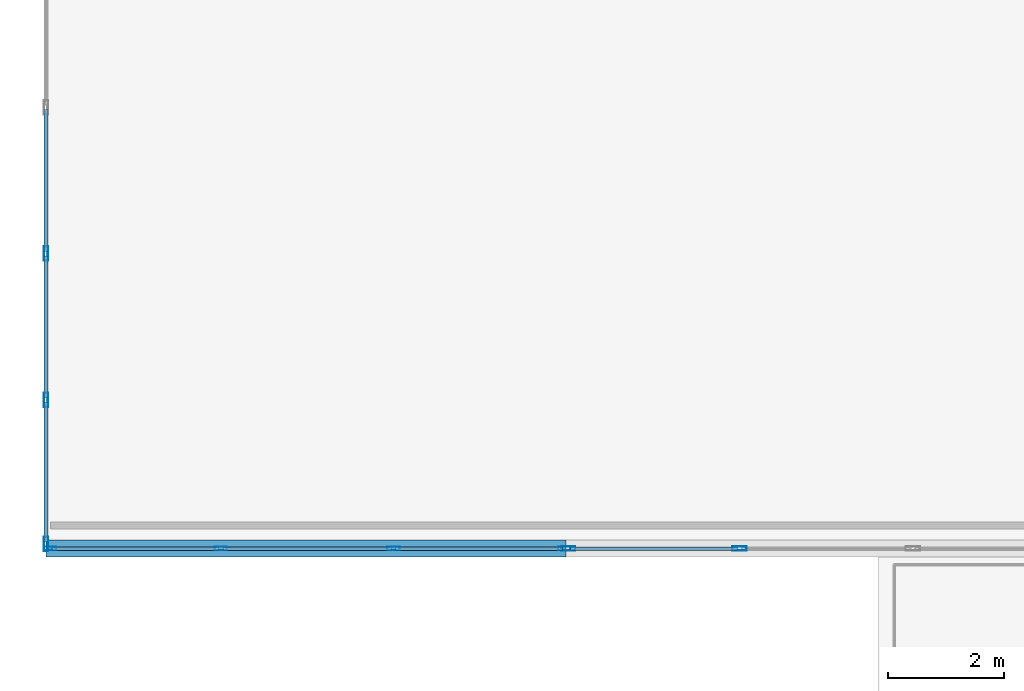
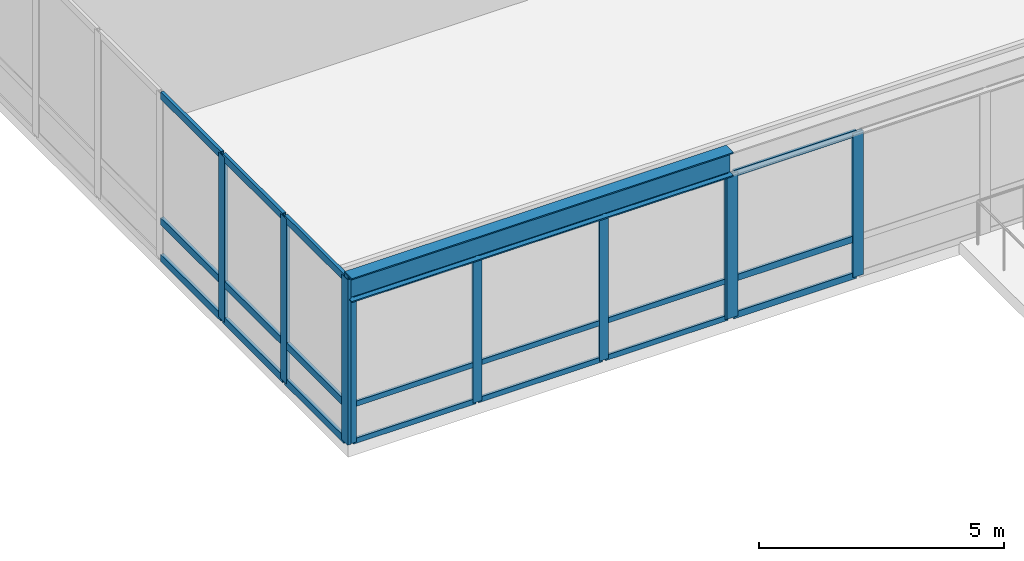
# One storey, part 11 of 142: 30 members, 1 beam, 3 elements without a shape of their own.
"""IFC4 building model written with IfcOpenShell, lengths in metres."""

from ifc_helpers import new_model, si_unit, direction, frame, origin, origin_2d, place, context, subcontext, project, spatial, hollow_rectangle, i_section, extrude, material, layer, layer_set, material_profile, profile_set, type_object, element, aggregate, save


model = new_model("IFC4")

# Units and contexts
model_context = context("Model", 3, precision=1e-05, world=origin(), true_north=direction((0.0, 1.0)))
body_context = subcontext(model_context, "Body", "Model", "MODEL_VIEW")
ifc_project = project(units=[si_unit("LENGTHUNIT", "METRE"), si_unit("AREAUNIT", "SQUARE_METRE"), si_unit("VOLUMEUNIT", "CUBIC_METRE"), si_unit("PLANEANGLEUNIT", "RADIAN"), si_unit("MASSUNIT", "GRAM", prefix="KILO")], contexts=[model_context])

# Site, building, storey
site_placement = place(None, origin())
site = spatial("IfcSite", under=ifc_project, at=site_placement, CompositionType="ELEMENT")
building_placement = place(site_placement, origin())
building = spatial("IfcBuilding", under=site, at=building_placement, Name="Montelvaro Courts of Justice", CompositionType="ELEMENT")
storey_placement = place(building_placement, frame((0.0, 0.0, 14.39990234375)))
storey = spatial("IfcBuildingStorey", under=building, at=storey_placement, Name="L03", CompositionType="ELEMENT", Elevation=14.39990234375)

# Beam
ifc_material_1 = material(Name="Steel S355", Category="steel")
ifc_material_profile_1 = material_profile(ifc_material_1, i_section(OverallWidth=0.300048828125, OverallDepth=0.60009765625, WebThickness=0.015380859375, FlangeThickness=0.030029296875, at=origin_2d()), Name="HEB 600")
ifc_profile_set_1 = profile_set([ifc_material_profile_1], Name="Steel S355")
beam_type = type_object("IfcBeamType", Name="Beam_HEB600", PredefinedType="USERDEFINED", material=ifc_profile_set_1)
beam_placement = place(storey_placement, frame((18.0, 24.0, 3.900146484375), z_axis=(1.0, 0.0, 0.0), x_axis=(0.0, 1.0, 0.0)))
element("IfcBeam", 1, at=beam_placement, inside=storey, type_object=beam_type, Name="V3 Roof Eave Girder", ObjectType="GIRDER", PredefinedType="USERDEFINED", context=body_context, shape_type="SweptSolid", body=[
    extrude(i_section(OverallWidth=0.300048828125, OverallDepth=0.60009765625, WebThickness=0.015380859375, FlangeThickness=0.030029296875, at=origin_2d()), origin(), (0.0, 0.0, 1.0), 9.0),
])

# Curtain wall, members
ifc_material_2 = material(Name="Anodised aluminium EN AW-6063", Category="aluminium")
ifc_layer_1 = layer(ifc_material_2, 0.159912109375)
ifc_layer_set_1 = layer_set([ifc_layer_1], Name="Anodised aluminium EN AW-6063")
curtain_wall_type_1 = type_object("IfcCurtainWallType", Name="CurtainWall_28_896x418", PredefinedType="USERDEFINED", material=ifc_layer_set_1)
curtain_wall_1_placement = place(storey_placement, origin())
curtain_wall_1 = element("IfcCurtainWall", 2, at=curtain_wall_1_placement, inside=storey, type_object=curtain_wall_type_1, Name="Curtain Wall CW-28 (L03)", ObjectType="CURTAIN WALL", PredefinedType="USERDEFINED")
ifc_material_profile_2 = material_profile(ifc_material_2, hollow_rectangle(XDim=0.06494140625, YDim=0.2099609375, WallThickness=0.0048828125, at=origin_2d()), Name="ALU-M 65x210")
ifc_profile_set_2 = profile_set([ifc_material_profile_2], Name="Anodised aluminium EN AW-6063")
member_type_1 = type_object("IfcMemberType", Name="CurtainWall_Mullion_65x210", PredefinedType="MULLION", material=ifc_profile_set_2)
member_1_placement = place(storey_placement, frame((18.072509765625, 24.0, 0.0), z_axis=(0.0, 0.0, 1.0), x_axis=(0.0, 1.0, 0.0)))
member_1 = element("IfcMember", 3, at=member_1_placement, type_object=member_type_1, Name="CW-28 mullion 1", PredefinedType="MULLION", context=body_context, shape_type="SweptSolid", body=[
    extrude(hollow_rectangle(XDim=0.06494140625, YDim=0.2099609375, WallThickness=0.0048828125, at=origin_2d()), origin(), (0.0, 0.0, 1.0), 3.59521484375),
])
member_2_placement = place(storey_placement, frame((21.026611328125, 24.0, 0.0), z_axis=(0.0, 0.0, 1.0), x_axis=(0.0, 1.0, 0.0)))
member_2 = element("IfcMember", 4, at=member_2_placement, type_object=member_type_1, Name="CW-28 mullion 2", PredefinedType="MULLION", context=body_context, shape_type="SweptSolid", body=[
    extrude(hollow_rectangle(XDim=0.06494140625, YDim=0.2099609375, WallThickness=0.0048828125, at=origin_2d()), origin(), (0.0, 0.0, 1.0), 3.59521484375),
])
member_3_placement = place(storey_placement, frame((24.013427734375, 24.0, 0.0), z_axis=(0.0, 0.0, 1.0), x_axis=(0.0, 1.0, 0.0)))
member_3 = element("IfcMember", 5, at=member_3_placement, type_object=member_type_1, Name="CW-28 mullion 3", PredefinedType="MULLION", context=body_context, shape_type="SweptSolid", body=[
    extrude(hollow_rectangle(XDim=0.06494140625, YDim=0.2099609375, WallThickness=0.0048828125, at=origin_2d()), origin(), (0.0, 0.0, 1.0), 3.59521484375),
])
member_4_placement = place(storey_placement, frame((26.967529296875, 24.0, 0.0), z_axis=(0.0, 0.0, 1.0), x_axis=(0.0, 1.0, 0.0)))
member_4 = element("IfcMember", 6, at=member_4_placement, type_object=member_type_1, Name="CW-28 mullion 4", PredefinedType="MULLION", context=body_context, shape_type="SweptSolid", body=[
    extrude(hollow_rectangle(XDim=0.06494140625, YDim=0.2099609375, WallThickness=0.0048828125, at=origin_2d()), origin(), (0.0, 0.0, 1.0), 3.59521484375),
])

ifc_layer_2 = layer(ifc_material_2, 0.159912109375)
ifc_layer_set_2 = layer_set([ifc_layer_2], Name="Anodised aluminium EN AW-6063")
curtain_wall_type_2 = type_object("IfcCurtainWallType", Name="CurtainWall_31_900x418", PredefinedType="USERDEFINED", material=ifc_layer_set_2)
curtain_wall_2_placement = place(storey_placement, origin())
curtain_wall_2 = element("IfcCurtainWall", 7, at=curtain_wall_2_placement, inside=storey, type_object=curtain_wall_type_2, Name="Curtain Wall CW-31 (L03)", ObjectType="CURTAIN WALL", PredefinedType="USERDEFINED")
ifc_material_profile_3 = material_profile(ifc_material_2, hollow_rectangle(XDim=0.074951171875, YDim=0.25, WallThickness=0.005615234375, at=origin_2d()), Name="ALU-M 75x250")
ifc_profile_set_3 = profile_set([ifc_material_profile_3], Name="Anodised aluminium EN AW-6063")
member_type_2 = type_object("IfcMemberType", Name="CurtainWall_Mullion_75x250", PredefinedType="MULLION", material=ifc_profile_set_3)
member_5_placement = place(storey_placement, frame((27.03759765625, 24.0, 0.0), z_axis=(0.0, 0.0, 1.0), x_axis=(0.0, 1.0, 0.0)))
member_5 = element("IfcMember", 8, at=member_5_placement, type_object=member_type_2, Name="CW-31 mullion 1", PredefinedType="MULLION", context=body_context, shape_type="SweptSolid", body=[
    extrude(hollow_rectangle(XDim=0.074951171875, YDim=0.25, WallThickness=0.005615234375, at=origin_2d()), origin(), (0.0, 0.0, 1.0), 3.59521484375),
])
member_6_placement = place(storey_placement, frame((30.0, 24.0, 0.0), z_axis=(0.0, 0.0, 1.0), x_axis=(0.0, 1.0, 0.0)))
member_6 = element("IfcMember", 9, at=member_6_placement, type_object=member_type_2, Name="CW-31 mullion 2", PredefinedType="MULLION", context=body_context, shape_type="SweptSolid", body=[
    extrude(hollow_rectangle(XDim=0.074951171875, YDim=0.25, WallThickness=0.005615234375, at=origin_2d()), origin(), (0.0, 0.0, 1.0), 3.59521484375),
])

ifc_layer_3 = layer(ifc_material_2, 0.159912109375)
ifc_layer_set_3 = layer_set([ifc_layer_3], Name="Anodised aluminium EN AW-6063")
curtain_wall_type_3 = type_object("IfcCurtainWallType", Name="CurtainWall_29_1770x418", PredefinedType="USERDEFINED", material=ifc_layer_set_3)
curtain_wall_3_placement = place(storey_placement, origin())
curtain_wall_3 = element("IfcCurtainWall", 10, at=curtain_wall_3_placement, inside=storey, type_object=curtain_wall_type_3, Name="Curtain Wall CW-29 (L03)", ObjectType="CURTAIN WALL", PredefinedType="USERDEFINED")
member_7_placement = place(storey_placement, frame((18.0, 29.102783203125, 0.0), z_axis=(0.0, 0.0, 1.0), x_axis=(1.0, 0.0, 0.0)))
member_7 = element("IfcMember", 11, at=member_7_placement, type_object=member_type_2, Name="CW-29 mullion 6", PredefinedType="MULLION", context=body_context, shape_type="SweptSolid", body=[
    extrude(hollow_rectangle(XDim=0.074951171875, YDim=0.25, WallThickness=0.005615234375, at=origin_2d()), origin(), (0.0, 0.0, 1.0), 4.1201171875),
])
member_8_placement = place(storey_placement, frame((18.0, 26.571533203125, 0.0), z_axis=(0.0, 0.0, 1.0), x_axis=(1.0, 0.0, 0.0)))
member_8 = element("IfcMember", 12, at=member_8_placement, type_object=member_type_2, Name="CW-29 mullion 7", PredefinedType="MULLION", context=body_context, shape_type="SweptSolid", body=[
    extrude(hollow_rectangle(XDim=0.074951171875, YDim=0.25, WallThickness=0.005615234375, at=origin_2d()), origin(), (0.0, 0.0, 1.0), 4.1201171875),
])
member_9_placement = place(storey_placement, frame((18.0, 24.077392578125, 0.0), z_axis=(0.0, 0.0, 1.0), x_axis=(1.0, 0.0, 0.0)))
member_9 = element("IfcMember", 13, at=member_9_placement, type_object=member_type_2, Name="CW-29 mullion 8", PredefinedType="MULLION", context=body_context, shape_type="SweptSolid", body=[
    extrude(hollow_rectangle(XDim=0.074951171875, YDim=0.25, WallThickness=0.005615234375, at=origin_2d()), origin(), (0.0, 0.0, 1.0), 4.1201171875),
])

# Member
ifc_material_profile_4 = material_profile(ifc_material_2, hollow_rectangle(XDim=0.06005859375, YDim=0.1298828125, WallThickness=0.00390625, at=origin_2d()), Name="ALU-T 60x130")
ifc_profile_set_4 = profile_set([ifc_material_profile_4], Name="Anodised aluminium EN AW-6063")
member_type_3 = type_object("IfcMemberType", Name="CurtainWall_Transom_60x130", PredefinedType="USERDEFINED", material=ifc_profile_set_4)
member_10_placement = place(storey_placement, frame((18.10498046875, 24.0, 0.030029296875), z_axis=(1.0, 0.0, 0.0), x_axis=(0.0, 1.0, 0.0)))
member_10 = element("IfcMember", 14, at=member_10_placement, type_object=member_type_3, Name="CW-28 transom 1.1", ObjectType="TRANSOM", PredefinedType="USERDEFINED", context=body_context, shape_type="SweptSolid", body=[
    extrude(hollow_rectangle(XDim=0.06005859375, YDim=0.1298828125, WallThickness=0.00390625, at=origin_2d()), origin(), (0.0, 0.0, 1.0), 2.88916015625),
])

member_11_placement = place(storey_placement, frame((18.10498046875, 24.0, 0.9501953125), z_axis=(1.0, 0.0, 0.0), x_axis=(0.0, 1.0, 0.0)))
member_11 = element("IfcMember", 15, at=member_11_placement, type_object=member_type_3, Name="CW-28 transom 1.2", ObjectType="TRANSOM", PredefinedType="USERDEFINED", context=body_context, shape_type="SweptSolid", body=[
    extrude(hollow_rectangle(XDim=0.06005859375, YDim=0.1298828125, WallThickness=0.00390625, at=origin_2d()), origin(), (0.0, 0.0, 1.0), 2.88916015625),
])

member_12_placement = place(storey_placement, frame((18.10498046875, 24.0, 3.565185546875), z_axis=(1.0, 0.0, 0.0), x_axis=(0.0, 1.0, 0.0)))
member_12 = element("IfcMember", 16, at=member_12_placement, type_object=member_type_3, Name="CW-28 transom 1.3", ObjectType="TRANSOM", PredefinedType="USERDEFINED", context=body_context, shape_type="SweptSolid", body=[
    extrude(hollow_rectangle(XDim=0.06005859375, YDim=0.1298828125, WallThickness=0.00390625, at=origin_2d()), origin(), (0.0, 0.0, 1.0), 2.88916015625),
])

member_13_placement = place(storey_placement, frame((21.05908203125, 24.0, 0.030029296875), z_axis=(1.0, 0.0, 0.0), x_axis=(0.0, 1.0, 0.0)))
member_13 = element("IfcMember", 17, at=member_13_placement, type_object=member_type_3, Name="CW-28 transom 2.1", ObjectType="TRANSOM", PredefinedType="USERDEFINED", context=body_context, shape_type="SweptSolid", body=[
    extrude(hollow_rectangle(XDim=0.06005859375, YDim=0.1298828125, WallThickness=0.00390625, at=origin_2d()), origin(), (0.0, 0.0, 1.0), 2.921630859375),
])

member_14_placement = place(storey_placement, frame((21.05908203125, 24.0, 0.9501953125), z_axis=(1.0, 0.0, 0.0), x_axis=(0.0, 1.0, 0.0)))
member_14 = element("IfcMember", 18, at=member_14_placement, type_object=member_type_3, Name="CW-28 transom 2.2", ObjectType="TRANSOM", PredefinedType="USERDEFINED", context=body_context, shape_type="SweptSolid", body=[
    extrude(hollow_rectangle(XDim=0.06005859375, YDim=0.1298828125, WallThickness=0.00390625, at=origin_2d()), origin(), (0.0, 0.0, 1.0), 2.921630859375),
])

member_15_placement = place(storey_placement, frame((21.05908203125, 24.0, 3.565185546875), z_axis=(1.0, 0.0, 0.0), x_axis=(0.0, 1.0, 0.0)))
member_15 = element("IfcMember", 19, at=member_15_placement, type_object=member_type_3, Name="CW-28 transom 2.3", ObjectType="TRANSOM", PredefinedType="USERDEFINED", context=body_context, shape_type="SweptSolid", body=[
    extrude(hollow_rectangle(XDim=0.06005859375, YDim=0.1298828125, WallThickness=0.00390625, at=origin_2d()), origin(), (0.0, 0.0, 1.0), 2.921630859375),
])

member_16_placement = place(storey_placement, frame((24.0458984375, 24.0, 0.030029296875), z_axis=(1.0, 0.0, 0.0), x_axis=(0.0, 1.0, 0.0)))
member_16 = element("IfcMember", 20, at=member_16_placement, type_object=member_type_3, Name="CW-28 transom 3.1", ObjectType="TRANSOM", PredefinedType="USERDEFINED", context=body_context, shape_type="SweptSolid", body=[
    extrude(hollow_rectangle(XDim=0.06005859375, YDim=0.1298828125, WallThickness=0.00390625, at=origin_2d()), origin(), (0.0, 0.0, 1.0), 2.88916015625),
])

member_17_placement = place(storey_placement, frame((24.0458984375, 24.0, 0.9501953125), z_axis=(1.0, 0.0, 0.0), x_axis=(0.0, 1.0, 0.0)))
member_17 = element("IfcMember", 21, at=member_17_placement, type_object=member_type_3, Name="CW-28 transom 3.2", ObjectType="TRANSOM", PredefinedType="USERDEFINED", context=body_context, shape_type="SweptSolid", body=[
    extrude(hollow_rectangle(XDim=0.06005859375, YDim=0.1298828125, WallThickness=0.00390625, at=origin_2d()), origin(), (0.0, 0.0, 1.0), 2.88916015625),
])

member_18_placement = place(storey_placement, frame((24.0458984375, 24.0, 3.565185546875), z_axis=(1.0, 0.0, 0.0), x_axis=(0.0, 1.0, 0.0)))
member_18 = element("IfcMember", 22, at=member_18_placement, type_object=member_type_3, Name="CW-28 transom 3.3", ObjectType="TRANSOM", PredefinedType="USERDEFINED", context=body_context, shape_type="SweptSolid", body=[
    extrude(hollow_rectangle(XDim=0.06005859375, YDim=0.1298828125, WallThickness=0.00390625, at=origin_2d()), origin(), (0.0, 0.0, 1.0), 2.88916015625),
])

aggregate(curtain_wall_1, [member_1, member_2, member_3, member_4, member_10, member_11, member_12, member_13, member_14, member_15, member_16, member_17, member_18])

ifc_material_profile_5 = material_profile(ifc_material_2, hollow_rectangle(XDim=0.06005859375, YDim=0.159912109375, WallThickness=0.00439453125, at=origin_2d()), Name="ALU-T 60x160")
ifc_profile_set_5 = profile_set([ifc_material_profile_5], Name="Anodised aluminium EN AW-6063")
member_type_4 = type_object("IfcMemberType", Name="CurtainWall_Transom_60x160", PredefinedType="USERDEFINED", material=ifc_profile_set_5)
member_19_placement = place(storey_placement, frame((27.074951171875, 24.0, 0.030029296875), z_axis=(1.0, 0.0, 0.0), x_axis=(0.0, 1.0, 0.0)))
member_19 = element("IfcMember", 23, at=member_19_placement, type_object=member_type_4, Name="CW-31 transom 1.1", ObjectType="TRANSOM", PredefinedType="USERDEFINED", context=body_context, shape_type="SweptSolid", body=[
    extrude(hollow_rectangle(XDim=0.06005859375, YDim=0.159912109375, WallThickness=0.00439453125, at=origin_2d()), origin(), (0.0, 0.0, 1.0), 2.887451171875),
])

member_20_placement = place(storey_placement, frame((27.074951171875, 24.0, 0.9501953125), z_axis=(1.0, 0.0, 0.0), x_axis=(0.0, 1.0, 0.0)))
member_20 = element("IfcMember", 24, at=member_20_placement, type_object=member_type_4, Name="CW-31 transom 1.2", ObjectType="TRANSOM", PredefinedType="USERDEFINED", context=body_context, shape_type="SweptSolid", body=[
    extrude(hollow_rectangle(XDim=0.06005859375, YDim=0.159912109375, WallThickness=0.00439453125, at=origin_2d()), origin(), (0.0, 0.0, 1.0), 2.887451171875),
])

member_21_placement = place(storey_placement, frame((27.074951171875, 24.0, 3.565185546875), z_axis=(1.0, 0.0, 0.0), x_axis=(0.0, 1.0, 0.0)))
member_21 = element("IfcMember", 25, at=member_21_placement, type_object=member_type_4, Name="CW-31 transom 1.3", ObjectType="TRANSOM", PredefinedType="USERDEFINED", context=body_context, shape_type="SweptSolid", body=[
    extrude(hollow_rectangle(XDim=0.06005859375, YDim=0.159912109375, WallThickness=0.00439453125, at=origin_2d()), origin(), (0.0, 0.0, 1.0), 2.887451171875),
])

aggregate(curtain_wall_2, [member_5, member_6, member_19, member_20, member_21])

ifc_material_profile_6 = material_profile(ifc_material_2, hollow_rectangle(XDim=0.074951171875, YDim=0.179931640625, WallThickness=0.0048828125, at=origin_2d()), Name="ALU-T 75x180")
ifc_profile_set_6 = profile_set([ifc_material_profile_6], Name="Anodised aluminium EN AW-6063")
member_type_5 = type_object("IfcMemberType", Name="CurtainWall_Transom_75x180", PredefinedType="USERDEFINED", material=ifc_profile_set_6)
member_22_placement = place(storey_placement, frame((18.0, 31.5966796875, 0.03759765625), z_axis=(0.0, -1.0, 0.0), x_axis=(1.0, 0.0, 0.0)))
member_22 = element("IfcMember", 26, at=member_22_placement, type_object=member_type_5, Name="CW-29 transom 5.1", ObjectType="TRANSOM", PredefinedType="USERDEFINED", context=body_context, shape_type="SweptSolid", body=[
    extrude(hollow_rectangle(XDim=0.074951171875, YDim=0.179931640625, WallThickness=0.0048828125, at=origin_2d()), origin(), (0.0, 0.0, 1.0), 2.456298828125),
])

member_23_placement = place(storey_placement, frame((18.0, 31.5966796875, 0.9501953125), z_axis=(0.0, -1.0, 0.0), x_axis=(1.0, 0.0, 0.0)))
member_23 = element("IfcMember", 27, at=member_23_placement, type_object=member_type_5, Name="CW-29 transom 5.2", ObjectType="TRANSOM", PredefinedType="USERDEFINED", context=body_context, shape_type="SweptSolid", body=[
    extrude(hollow_rectangle(XDim=0.074951171875, YDim=0.179931640625, WallThickness=0.0048828125, at=origin_2d()), origin(), (0.0, 0.0, 1.0), 2.456298828125),
])

member_24_placement = place(storey_placement, frame((18.0, 31.5966796875, 4.08251953125), z_axis=(0.0, -1.0, 0.0), x_axis=(1.0, 0.0, 0.0)))
member_24 = element("IfcMember", 28, at=member_24_placement, type_object=member_type_5, Name="CW-29 transom 5.3", ObjectType="TRANSOM", PredefinedType="USERDEFINED", context=body_context, shape_type="SweptSolid", body=[
    extrude(hollow_rectangle(XDim=0.074951171875, YDim=0.179931640625, WallThickness=0.0048828125, at=origin_2d()), origin(), (0.0, 0.0, 1.0), 2.456298828125),
])

member_25_placement = place(storey_placement, frame((18.0, 29.0654296875, 0.03759765625), z_axis=(0.0, -1.0, 0.0), x_axis=(1.0, 0.0, 0.0)))
member_25 = element("IfcMember", 29, at=member_25_placement, type_object=member_type_5, Name="CW-29 transom 6.1", ObjectType="TRANSOM", PredefinedType="USERDEFINED", context=body_context, shape_type="SweptSolid", body=[
    extrude(hollow_rectangle(XDim=0.074951171875, YDim=0.179931640625, WallThickness=0.0048828125, at=origin_2d()), origin(), (0.0, 0.0, 1.0), 2.45654296875),
])

member_26_placement = place(storey_placement, frame((18.0, 29.0654296875, 0.9501953125), z_axis=(0.0, -1.0, 0.0), x_axis=(1.0, 0.0, 0.0)))
member_26 = element("IfcMember", 30, at=member_26_placement, type_object=member_type_5, Name="CW-29 transom 6.2", ObjectType="TRANSOM", PredefinedType="USERDEFINED", context=body_context, shape_type="SweptSolid", body=[
    extrude(hollow_rectangle(XDim=0.074951171875, YDim=0.179931640625, WallThickness=0.0048828125, at=origin_2d()), origin(), (0.0, 0.0, 1.0), 2.45654296875),
])

member_27_placement = place(storey_placement, frame((18.0, 29.0654296875, 4.08251953125), z_axis=(0.0, -1.0, 0.0), x_axis=(1.0, 0.0, 0.0)))
member_27 = element("IfcMember", 31, at=member_27_placement, type_object=member_type_5, Name="CW-29 transom 6.3", ObjectType="TRANSOM", PredefinedType="USERDEFINED", context=body_context, shape_type="SweptSolid", body=[
    extrude(hollow_rectangle(XDim=0.074951171875, YDim=0.179931640625, WallThickness=0.0048828125, at=origin_2d()), origin(), (0.0, 0.0, 1.0), 2.45654296875),
])

member_28_placement = place(storey_placement, frame((18.0, 26.533935546875, 0.03759765625), z_axis=(0.0, -1.0, 0.0), x_axis=(1.0, 0.0, 0.0)))
member_28 = element("IfcMember", 32, at=member_28_placement, type_object=member_type_5, Name="CW-29 transom 7.1", ObjectType="TRANSOM", PredefinedType="USERDEFINED", context=body_context, shape_type="SweptSolid", body=[
    extrude(hollow_rectangle(XDim=0.074951171875, YDim=0.179931640625, WallThickness=0.0048828125, at=origin_2d()), origin(), (0.0, 0.0, 1.0), 2.4189453125),
])

member_29_placement = place(storey_placement, frame((18.0, 26.533935546875, 0.9501953125), z_axis=(0.0, -1.0, 0.0), x_axis=(1.0, 0.0, 0.0)))
member_29 = element("IfcMember", 33, at=member_29_placement, type_object=member_type_5, Name="CW-29 transom 7.2", ObjectType="TRANSOM", PredefinedType="USERDEFINED", context=body_context, shape_type="SweptSolid", body=[
    extrude(hollow_rectangle(XDim=0.074951171875, YDim=0.179931640625, WallThickness=0.0048828125, at=origin_2d()), origin(), (0.0, 0.0, 1.0), 2.4189453125),
])

member_30_placement = place(storey_placement, frame((18.0, 26.533935546875, 4.08251953125), z_axis=(0.0, -1.0, 0.0), x_axis=(1.0, 0.0, 0.0)))
member_30 = element("IfcMember", 34, at=member_30_placement, type_object=member_type_5, Name="CW-29 transom 7.3", ObjectType="TRANSOM", PredefinedType="USERDEFINED", context=body_context, shape_type="SweptSolid", body=[
    extrude(hollow_rectangle(XDim=0.074951171875, YDim=0.179931640625, WallThickness=0.0048828125, at=origin_2d()), origin(), (0.0, 0.0, 1.0), 2.4189453125),
])

aggregate(curtain_wall_3, [member_7, member_8, member_9, member_22, member_23, member_24, member_25, member_26, member_27, member_28, member_29, member_30])

save(model, "model.ifc")
